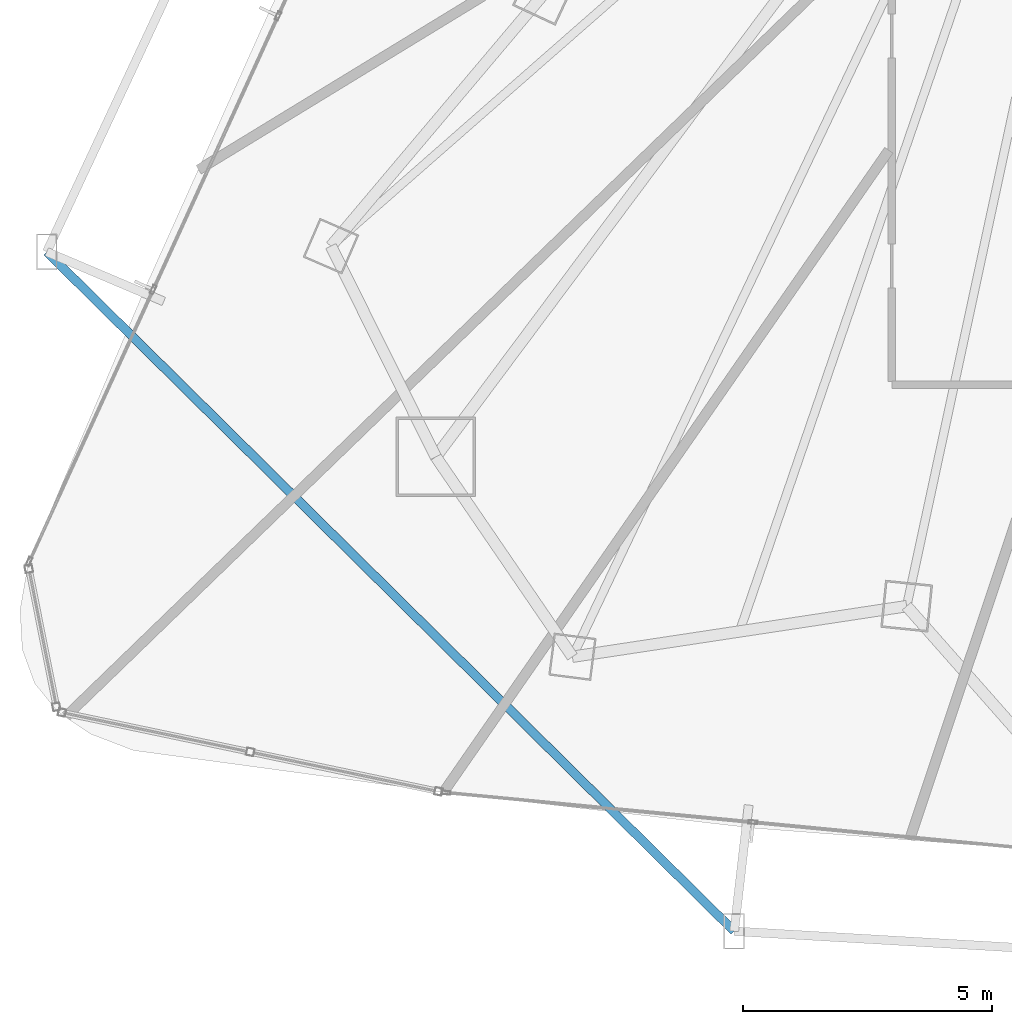
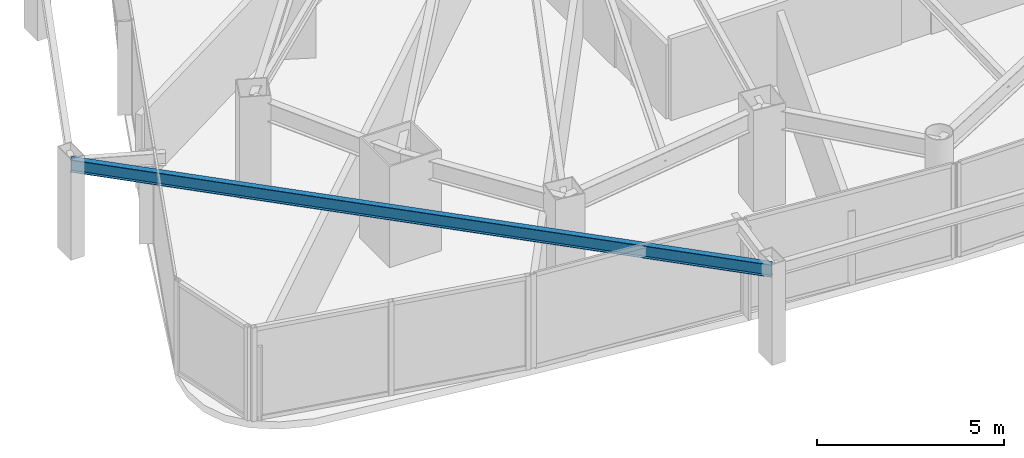
# One storey, part 3 of 33: 1 beam.
"""IFC4 building model written with IfcOpenShell, lengths in metres."""

from ifc_helpers import new_model, si_unit, direction, frame, origin, origin_2d, place, context, subcontext, project, spatial, i_section, extrude, material, material_profile, profile_set, type_object, element, save


model = new_model("IFC4")

# Units and contexts
model_context = context("Model", 3, precision=1e-05, world=origin(), true_north=direction((0.0, 1.0)))
body_context = subcontext(model_context, "Body", "Model", "MODEL_VIEW")
ifc_project = project(units=[si_unit("LENGTHUNIT", "METRE"), si_unit("AREAUNIT", "SQUARE_METRE"), si_unit("VOLUMEUNIT", "CUBIC_METRE"), si_unit("PLANEANGLEUNIT", "RADIAN"), si_unit("MASSUNIT", "GRAM", prefix="KILO")], contexts=[model_context])

# Site, building, storey
site_placement = place(None, origin())
site = spatial("IfcSite", under=ifc_project, at=site_placement, CompositionType="ELEMENT")
building_placement = place(site_placement, origin())
building = spatial("IfcBuilding", under=site, at=building_placement, Name="Orvanel Arch Residences", CompositionType="ELEMENT")
storey_placement = place(building_placement, frame((0.0, 0.0, 90.64990234375)))
storey = spatial("IfcBuildingStorey", under=building, at=storey_placement, Name="L25", CompositionType="ELEMENT", Elevation=90.64990234375)

# Beam
ifc_material = material(Name="Structural steel AS/NZS 3679.1 Grade 300 (300 MPa)", Category="steel")
ifc_material_profile = material_profile(ifc_material, i_section(OverallWidth=0.177978515625, OverallDepth=0.406005859375, WebThickness=0.0078125, FlangeThickness=0.0126953125, at=origin_2d()), Name="410UB59.7")
ifc_profile_set = profile_set([ifc_material_profile], Name="Structural steel AS/NZS 3679.1 Grade 300 (300 MPa)")
beam_type = type_object("IfcBeamType", Name="OB-410UB-EXT", PredefinedType="SPANDREL", material=ifc_profile_set)
beam_placement = place(storey_placement, frame((6.39111328125, 14.465087890625, 2.857177734375), z_axis=(0.711241893717, -0.702947344132, 0.0), x_axis=(0.702947344132, 0.711241893717, 0.0)))
element("IfcBeam", 1, at=beam_placement, inside=storey, type_object=beam_type, Name="L25 Outer Perimeter Floor Ring Beam 04", PredefinedType="SPANDREL", context=body_context, shape_type="SweptSolid", body=[
    extrude(i_section(OverallWidth=0.177978515625, OverallDepth=0.406005859375, WebThickness=0.0078125, FlangeThickness=0.0126953125, at=origin_2d()), origin(), (0.0, 0.0, 1.0), 19.39697265625),
])

save(model, "model.ifc")
